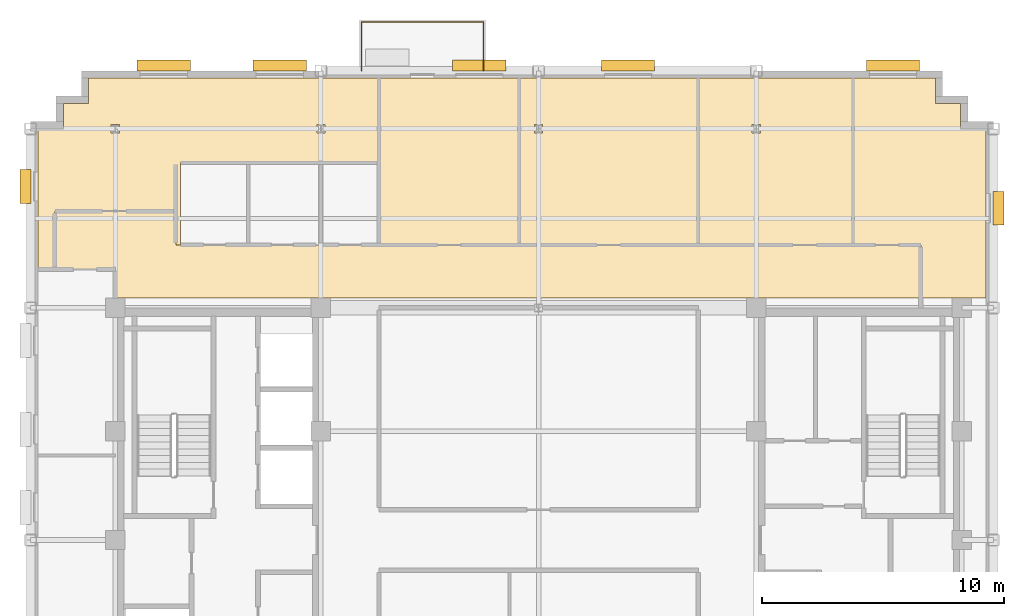
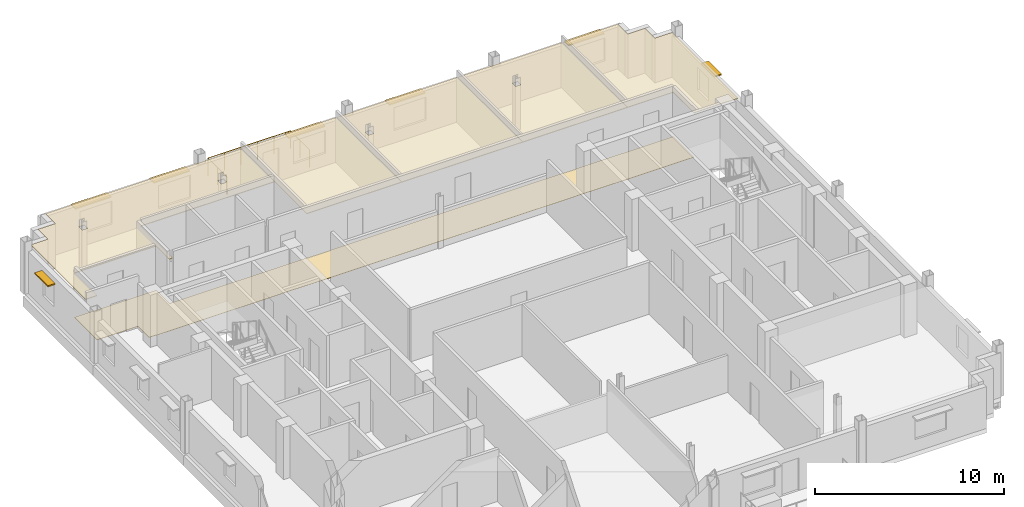
# One storey, part 13 of 13: 7 shading devices, 6 coverings, 1 railing.
"""IFC4 building model written with IfcOpenShell, lengths in metres."""

from ifc_helpers import new_model, si_unit, direction, frame, origin, origin_2d, place, context, subcontext, project, spatial, polyline, rectangle, circle, outline, extrude, source, transform, mapped, material, layer, layer_set, type_object, type_shapes, element, save


model = new_model("IFC4")

# Units and contexts
model_context = context("Model", 3, precision=1e-05, world=origin(), true_north=direction((0.0, 1.0)))
body_context = subcontext(model_context, "Body", "Model", "MODEL_VIEW")
ifc_project = project(units=[si_unit("LENGTHUNIT", "METRE"), si_unit("AREAUNIT", "SQUARE_METRE"), si_unit("VOLUMEUNIT", "CUBIC_METRE"), si_unit("PLANEANGLEUNIT", "RADIAN"), si_unit("MASSUNIT", "GRAM", prefix="KILO")], contexts=[model_context])

# Site, building, storey
site_placement = place(None, origin())
site = spatial("IfcSite", under=ifc_project, at=site_placement, CompositionType="ELEMENT")
building_placement = place(site_placement, origin())
building = spatial("IfcBuilding", under=site, at=building_placement, Name="Nuvemarco Arch Tower", CompositionType="ELEMENT")
storey_placement = place(building_placement, frame((0.0, 0.0, 261.60009765625)))
storey = spatial("IfcBuildingStorey", under=building, at=storey_placement, Name="L69", CompositionType="ELEMENT", Elevation=261.60009765625)

# Coverings
ifc_material_1 = material(Name="Mineral acoustic ceiling tile")
ifc_layer_1 = layer(ifc_material_1, 0.0400390625, Name="COV-ACOUSTIC-CLG")
ifc_layer_set_1 = layer_set([ifc_layer_1], Name="Mineral acoustic ceiling tile")
covering_type_1 = type_object("IfcCoveringType", Name="COV-ACOUSTIC-CLG", PredefinedType="CEILING", material=ifc_layer_set_1)
covering_1_placement = place(storey_placement, frame((0.0, 0.0, 2.849853515625)))
element("IfcCovering", 1, at=covering_1_placement, inside=storey, type_object=covering_type_1, Name="L69 suspended acoustic ceiling 3", PredefinedType="CEILING", context=body_context, shape_type="SweptSolid", body=[
    extrude(outline(polyline([(-15.0, 12.199951171875), (-15.0, 13.60009765625), (-20.0, 13.60009765625), (-20.0, 11.199951171875), (-20.699951171875, 11.199951171875), (-20.699951171875, 17.0), (-19.64990234375, 17.0), (-19.64990234375, 18.050048828125), (-18.60009765625, 18.050048828125), (-18.60009765625, 19.10009765625), (-6.60009765625, 19.10009765625), (-6.60009765625, 15.60009765625), (-9.199951171875, 15.60009765625), (-12.0, 15.60009765625), (-14.800048828125, 15.60009765625), (-14.800048828125, 12.199951171875), (-15.0, 12.199951171875)]), holes=[polyline([(-17.330078125, 17.169921875), (-17.669921875, 17.169921875), (-17.669921875, 16.830078125), (-17.330078125, 16.830078125), (-17.330078125, 17.169921875)]), polyline([(-8.830078125, 17.169921875), (-9.169921875, 17.169921875), (-9.169921875, 16.830078125), (-8.830078125, 16.830078125), (-8.830078125, 17.169921875)])]), origin(), (0.0, 0.0, 1.0), 0.0400390625),
])
covering_2_placement = place(storey_placement, frame((0.0, 0.0, 2.849853515625)))
element("IfcCovering", 2, at=covering_2_placement, inside=storey, type_object=covering_type_1, Name="L69 suspended acoustic ceiling 5", PredefinedType="CEILING", context=body_context, shape_type="SweptSolid", body=[
    extrude(outline(polyline([(-0.800048828125, 12.199951171875), (-0.800048828125, 19.10009765625), (6.60009765625, 19.10009765625), (6.60009765625, 12.199951171875), (-0.800048828125, 12.199951171875)]), holes=[polyline([(0.169921875, 16.830078125), (0.169921875, 17.169921875), (-0.169921875, 17.169921875), (-0.169921875, 16.830078125), (0.169921875, 16.830078125)])]), origin(), (0.0, 0.0, 1.0), 0.0400390625),
])
covering_3_placement = place(storey_placement, frame((0.0, 0.0, 2.849853515625)))
element("IfcCovering", 3, at=covering_3_placement, inside=storey, type_object=covering_type_1, Name="L69 suspended acoustic ceiling 6", PredefinedType="CEILING", context=body_context, shape_type="SweptSolid", body=[
    extrude(outline(polyline([(13.0, 12.199951171875), (9.0, 12.199951171875), (6.60009765625, 12.199951171875), (6.60009765625, 19.10009765625), (13.0, 19.10009765625), (13.0, 12.199951171875)]), holes=[polyline([(9.169921875, 17.169921875), (8.830078125, 17.169921875), (8.830078125, 16.830078125), (9.169921875, 16.830078125), (9.169921875, 17.169921875)])]), origin(), (0.0, 0.0, 1.0), 0.0400390625),
])
covering_4_placement = place(storey_placement, frame((0.0, 0.0, 2.849853515625)))
element("IfcCovering", 4, at=covering_4_placement, inside=storey, type_object=covering_type_1, Name="L69 suspended acoustic ceiling 7", PredefinedType="CEILING", context=body_context, shape_type="SweptSolid", body=[
    extrude(outline(polyline([(18.5, 17.0), (18.5, 10.0), (17.9150390625, 10.0), (17.9150390625, 10.014892578125), (17.0849609375, 10.014892578125), (17.0849609375, 10.0), (15.800048828125, 10.0), (15.800048828125, 12.199951171875), (13.0, 12.199951171875), (13.0, 19.10009765625), (16.39990234375, 19.10009765625), (16.39990234375, 18.050048828125), (17.449951171875, 18.050048828125), (17.449951171875, 17.0), (18.5, 17.0)])), origin(), (0.0, 0.0, 1.0), 0.0400390625),
])
covering_5_placement = place(storey_placement, frame((0.0, 0.0, 2.849853515625)))
element("IfcCovering", 5, at=covering_5_placement, inside=storey, type_object=covering_type_1, Name="L69 suspended acoustic ceiling 8", PredefinedType="CEILING", context=body_context, shape_type="SweptSolid", body=[
    extrude(outline(polyline([(-0.800048828125, 12.199951171875), (-6.60009765625, 12.199951171875), (-6.60009765625, 15.60009765625), (-6.60009765625, 19.10009765625), (-0.800048828125, 19.10009765625), (-0.800048828125, 12.199951171875)])), origin(), (0.0, 0.0, 1.0), 0.0400390625),
])
ifc_material_2 = material(Name="Polished granite terrazzostone flooring", Category="masonry")
ifc_layer_2 = layer(ifc_material_2, 0.02001953125, Name="COV-LOBBY-FLR")
ifc_layer_set_2 = layer_set([ifc_layer_2], Name="Polished granite terrazzostone flooring")
covering_type_2 = type_object("IfcCoveringType", Name="COV-LOBBY-FLR", PredefinedType="FLOORING", material=ifc_layer_set_2)
covering_6_placement = place(storey_placement, origin())
element("IfcCovering", 6, at=covering_6_placement, inside=storey, type_object=covering_type_2, Name="L69 polished terrazzo lobby flooring", PredefinedType="FLOORING", context=body_context, shape_type="SweptSolid", body=[
    extrude(outline(polyline([(-8.5849609375, 10.014892578125), (-9.4150390625, 10.014892578125), (-9.4150390625, 10.0), (-17.0849609375, 10.0), (-17.0849609375, 10.014892578125), (-17.5, 10.014892578125), (-17.5, 11.199951171875), (-20.0, 11.199951171875), (-20.0, 13.60009765625), (-15.0, 13.60009765625), (-15.0, 12.199951171875), (-9.0, 12.199951171875), (-6.60009765625, 12.199951171875), (6.60009765625, 12.199951171875), (9.0, 12.199951171875), (15.800048828125, 12.199951171875), (15.800048828125, 10.0), (9.4150390625, 10.0), (9.4150390625, 10.014892578125), (8.5849609375, 10.014892578125), (8.5849609375, 10.0), (-8.5849609375, 10.0), (-8.5849609375, 10.014892578125)])), origin(), (0.0, 0.0, 1.0), 0.02001953125),
])

# Railing
ifc_material_3 = material(Name="Dark anodised balustrade steel S355", Category="steel")
railing_type = type_object("IfcRailingType", Name="RL-TERR-GUARD", PredefinedType="BALUSTRADE", material=ifc_material_3)
railing_placement = place(storey_placement, frame((-7.320068359375, 19.39990234375, 0.0)))
element("IfcRailing", 7, at=railing_placement, inside=storey, type_object=railing_type, Name="L69 tree balcony perimeter balustrade guard", PredefinedType="BALUSTRADE", context=body_context, shape_type="SweptSolid", body=[
    extrude(circle(Radius=0.02392578125, at=origin_2d()), frame((0.0, 0.0, 1.1259765625), z_axis=(0.0, 1.0, 0.0), x_axis=(-1.0, 0.0, 0.0)), (0.0, 0.0, 1.0), 2.02001953125),
    extrude(circle(Radius=0.02392578125, at=origin_2d()), frame((0.0, 2.02001953125, 1.1259765625), z_axis=(1.0, 0.0, 0.0), x_axis=(0.0, 1.0, 0.0)), (0.0, 0.0, 1.0), 5.0400390625),
    extrude(circle(Radius=0.02392578125, at=origin_2d()), frame((5.0400390625, 2.02001953125, 1.1259765625), z_axis=(0.0, -1.0, 0.0), x_axis=(1.0, 0.0, 0.0)), (0.0, 0.0, 1.0), 2.02001953125),
    extrude(circle(Radius=0.02099609375, at=origin_2d()), origin(), (0.0, 0.0, 1.0), 1.101806640625),
    extrude(circle(Radius=0.02099609375, at=origin_2d()), frame((0.0, 1.010009765625, 0.0)), (0.0, 0.0, 1.0), 1.101806640625),
    extrude(circle(Radius=0.02099609375, at=origin_2d()), frame((0.0, 2.02001953125, 0.0)), (0.0, 0.0, 1.0), 1.101806640625),
    extrude(circle(Radius=0.02099609375, at=origin_2d()), frame((1.008056640625, 2.02001953125, 0.0)), (0.0, 0.0, 1.0), 1.101806640625),
    extrude(circle(Radius=0.02099609375, at=origin_2d()), frame((2.01611328125, 2.02001953125, 0.0)), (0.0, 0.0, 1.0), 1.101806640625),
    extrude(circle(Radius=0.02099609375, at=origin_2d()), frame((3.02392578125, 2.02001953125, 0.0)), (0.0, 0.0, 1.0), 1.101806640625),
    extrude(circle(Radius=0.02099609375, at=origin_2d()), frame((4.031982421875, 2.02001953125, 0.0)), (0.0, 0.0, 1.0), 1.101806640625),
    extrude(circle(Radius=0.02099609375, at=origin_2d()), frame((5.0400390625, 2.02001953125, 0.0)), (0.0, 0.0, 1.0), 1.101806640625),
    extrude(circle(Radius=0.02099609375, at=origin_2d()), frame((5.0400390625, 1.010009765625, 0.0)), (0.0, 0.0, 1.0), 1.101806640625),
    extrude(circle(Radius=0.02099609375, at=origin_2d()), frame((5.0400390625, 0.0, 0.0)), (0.0, 0.0, 1.0), 1.101806640625),
])

# Shading devices
ifc_material_4 = material(Name="Anodised aluminium 6063-T6", Category="aluminium")
shading_device_type_1 = type_object("IfcShadingDeviceType", Name="SHD-BRISE-SOLEIL", PredefinedType="USERDEFINED", material=ifc_material_4)
shared_shape_1 = source(origin(), body_context, "Body", "SweptSolid", [
    extrude(rectangle(XDim=2.199951171875, YDim=0.449951171875, at=origin_2d()), origin(), (0.0, 0.0, 1.0), 0.080078125),
])
type_shapes(shading_device_type_1, [shared_shape_1])
for number, where, z_axis, x_axis, name in (
    (8, (-15.5, 19.614990234375, 2.284912109375), (0.0, 0.0, 1.0), (1.0, 0.0, 0.0), "L69 horizontal brise-soleil sunshade"),
    (9, (-10.699951171875, 19.614990234375, 2.284912109375), (0.0, 0.0, 1.0), (1.0, 0.0, 0.0), "L69 horizontal brise-soleil sunshade"),
    (10, (-2.449951171875, 19.614990234375, 2.284912109375), (0.0, 0.0, 1.0), (1.0, 0.0, 0.0), "L69 horizontal brise-soleil sunshade"),
    (11, (3.699951171875, 19.614990234375, 2.284912109375), (0.0, 0.0, 1.0), (1.0, 0.0, 0.0), "L69 horizontal brise-soleil sunshade"),
    (12, (14.64990234375, 19.614990234375, 2.284912109375), (0.0, 0.0, 1.0), (1.0, 0.0, 0.0), "L69 horizontal brise-soleil sunshade"),
):
    element("IfcShadingDevice", number, at=place(storey_placement, frame(where, z_axis=z_axis, x_axis=x_axis)), inside=storey, type_object=shading_device_type_1, Name=name, ObjectType="SUNSHADE", PredefinedType="USERDEFINED", context=body_context, shape_type="MappedRepresentation", body=[
        mapped(shared_shape_1, transform((0.0, 0.0, 0.0), scale=1.0)),
    ])
shading_device_type_2 = type_object("IfcShadingDeviceType", Name="SHD-BRISE-NARROW", PredefinedType="USERDEFINED", material=ifc_material_4)
shared_shape_2 = source(origin(), body_context, "Body", "SweptSolid", [
    extrude(rectangle(XDim=1.39990234375, YDim=0.449951171875, at=origin_2d()), origin(), (0.0, 0.0, 1.0), 0.080078125),
])
type_shapes(shading_device_type_2, [shared_shape_2])
for number, where, z_axis, x_axis, name in (
    (13, (19.014892578125, 13.7177734375, 2.284912109375), (0.0, 0.0, 1.0), (0.0, 1.0, 0.0), "L69 horizontal brise-soleil sunshade"),
    (14, (-21.215087890625, 14.61767578125, 2.284912109375), (0.0, 0.0, 1.0), (0.0, 1.0, 0.0), "L69 horizontal brise-soleil sunshade"),
):
    element("IfcShadingDevice", number, at=place(storey_placement, frame(where, z_axis=z_axis, x_axis=x_axis)), inside=storey, type_object=shading_device_type_2, Name=name, ObjectType="SUNSHADE", PredefinedType="USERDEFINED", context=body_context, shape_type="MappedRepresentation", body=[
        mapped(shared_shape_2, transform((0.0, 0.0, 0.0), scale=1.0)),
    ])

save(model, "model.ifc")
